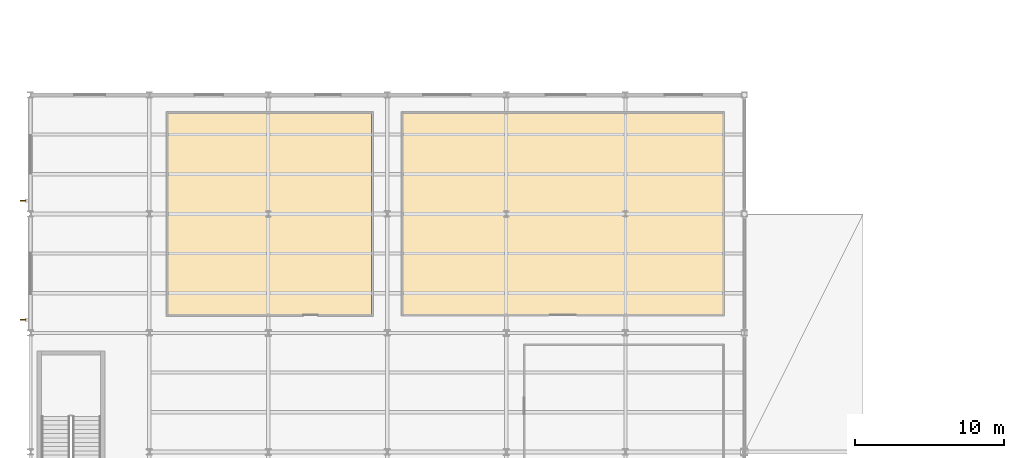
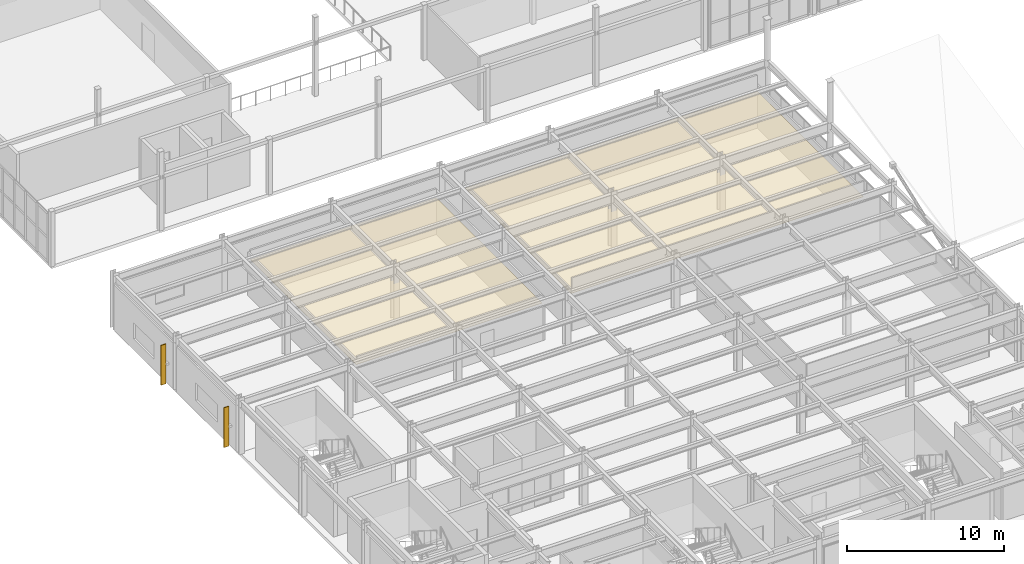
# One storey, part 79 of 83: 2 coverings, 2 shading devices.
"""IFC4 building model written with IfcOpenShell, lengths in metres."""

from ifc_helpers import new_model, si_unit, direction, frame, origin, origin_2d, place, context, subcontext, project, spatial, polyline, rectangle, outline, extrude, material, layer, layer_set, type_object, element, save


model = new_model("IFC4")

# Units and contexts
model_context = context("Model", 3, precision=1e-05, world=origin(), true_north=direction((0.0, 1.0)))
body_context = subcontext(model_context, "Body", "Model", "MODEL_VIEW")
ifc_project = project(units=[si_unit("LENGTHUNIT", "METRE"), si_unit("AREAUNIT", "SQUARE_METRE"), si_unit("VOLUMEUNIT", "CUBIC_METRE"), si_unit("PLANEANGLEUNIT", "RADIAN"), si_unit("MASSUNIT", "GRAM", prefix="KILO")], contexts=[model_context])

# Site, building, storey
site_placement = place(None, origin())
site = spatial("IfcSite", under=ifc_project, at=site_placement, CompositionType="ELEMENT")
building_placement = place(site_placement, origin())
building = spatial("IfcBuilding", under=site, at=building_placement, Name="Drelvath Fold Interchange", CompositionType="ELEMENT")
storey_placement = place(building_placement, frame((0.0, 0.0, 11.199951171875)))
storey = spatial("IfcBuildingStorey", under=building, at=storey_placement, Name="L02", CompositionType="ELEMENT", Elevation=11.199951171875)

# Coverings
ifc_material_1 = material(Name="Perforated Aluminium Acoustic Ceiling", Category="aluminium")
ifc_layer = layer(ifc_material_1, 0.01806640625, Name="Perforated Aluminium Acoustic Ceiling")
ifc_layer_set = layer_set([ifc_layer], Name="Perforated Aluminium Acoustic Ceiling")
covering_type = type_object("IfcCoveringType", Name="CV-CEIL-AL18", PredefinedType="CEILING", material=ifc_layer_set)
covering_1_placement = place(storey_placement, frame((0.0, 0.0, 2.830078125)))
element("IfcCovering", 1, at=covering_1_placement, inside=storey, type_object=covering_type, Name="Shift Handover Briefing Room acoustic ceiling", PredefinedType="CEILING", context=body_context, shape_type="SweptSolid", body=[
    extrude(outline(polyline([(13.2548828125, 36.2548828125), (26.945068359375, 36.2548828125), (26.945068359375, 49.7451171875), (13.2548828125, 49.7451171875), (13.2548828125, 36.2548828125)])), origin(), (0.0, 0.0, 1.0), 0.02001953125),
])
covering_2_placement = place(storey_placement, frame((0.0, 0.0, 2.830078125)))
element("IfcCovering", 2, at=covering_2_placement, inside=storey, type_object=covering_type, Name="Operations Staff Canteen acoustic ceiling", PredefinedType="CEILING", context=body_context, shape_type="SweptSolid", body=[
    extrude(outline(polyline([(29.047119140625, 36.248046875), (50.552978515625, 36.248046875), (50.552978515625, 49.751953125), (29.047119140625, 49.751953125), (29.047119140625, 36.248046875)])), origin(), (0.0, 0.0, 1.0), 0.02001953125),
])

# Shading devices
ifc_material_2 = material(Name="Anodized Aluminium 6063-T6", Category="aluminium")
shading_device_type = type_object("IfcShadingDeviceType", Name="SD-FIN380", PredefinedType="JALOUSIE", material=ifc_material_2)
for number, where, z_axis, x_axis, name in (
    (3, (3.492919921875, 35.89306640625, 0.10009765625), (0.0, 0.0, 1.0), (1.0, 0.0, 0.0), "Vertical aluminium solar fin 26"),
    (4, (3.492919921875, 43.89306640625, 0.10009765625), (0.0, 0.0, 1.0), (1.0, 0.0, 0.0), "Vertical aluminium solar fin 27"),
):
    element("IfcShadingDevice", number, at=place(storey_placement, frame(where, z_axis=z_axis, x_axis=x_axis)), inside=storey, type_object=shading_device_type, Name=name, PredefinedType="JALOUSIE", context=body_context, shape_type="SweptSolid", body=[
        extrude(rectangle(XDim=0.3798828125, YDim=0.06494140625, at=origin_2d()), origin(), (0.0, 0.0, 1.0), 3.10009765625),
    ])

save(model, "model.ifc")
